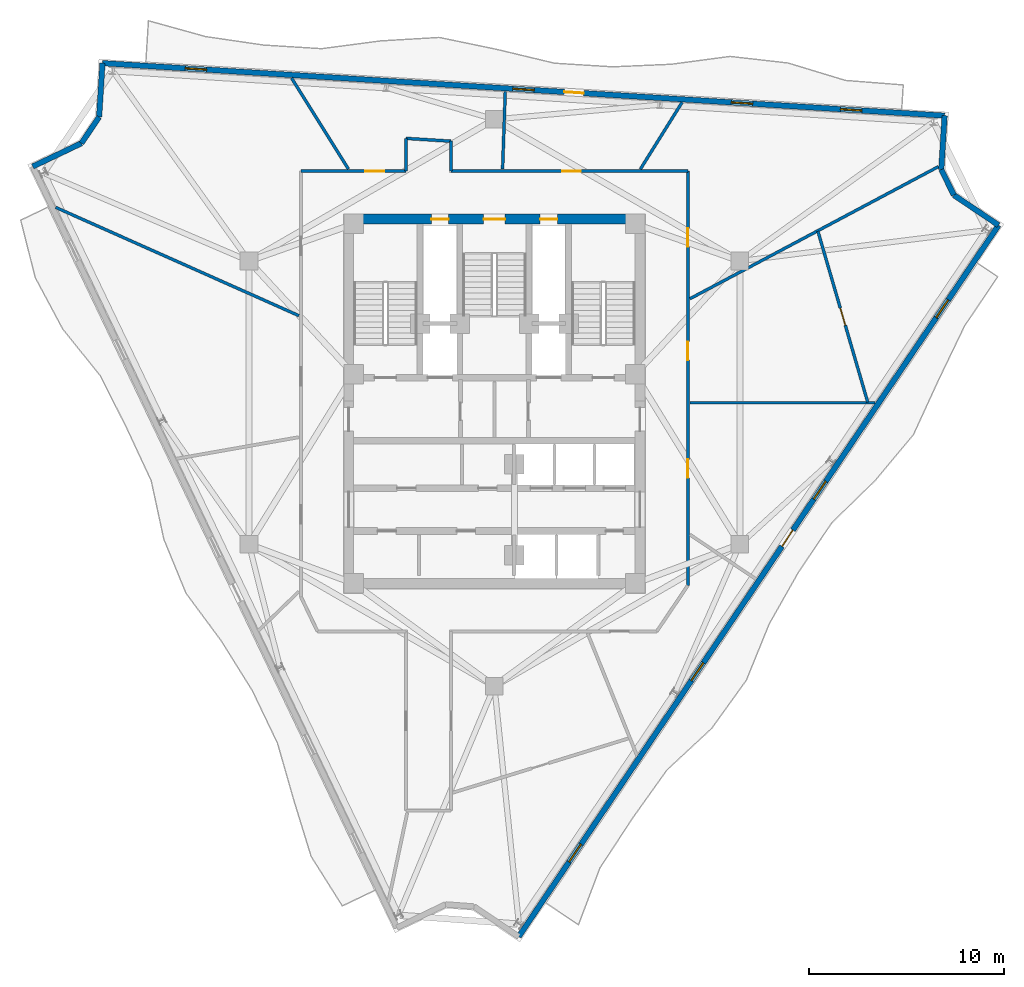
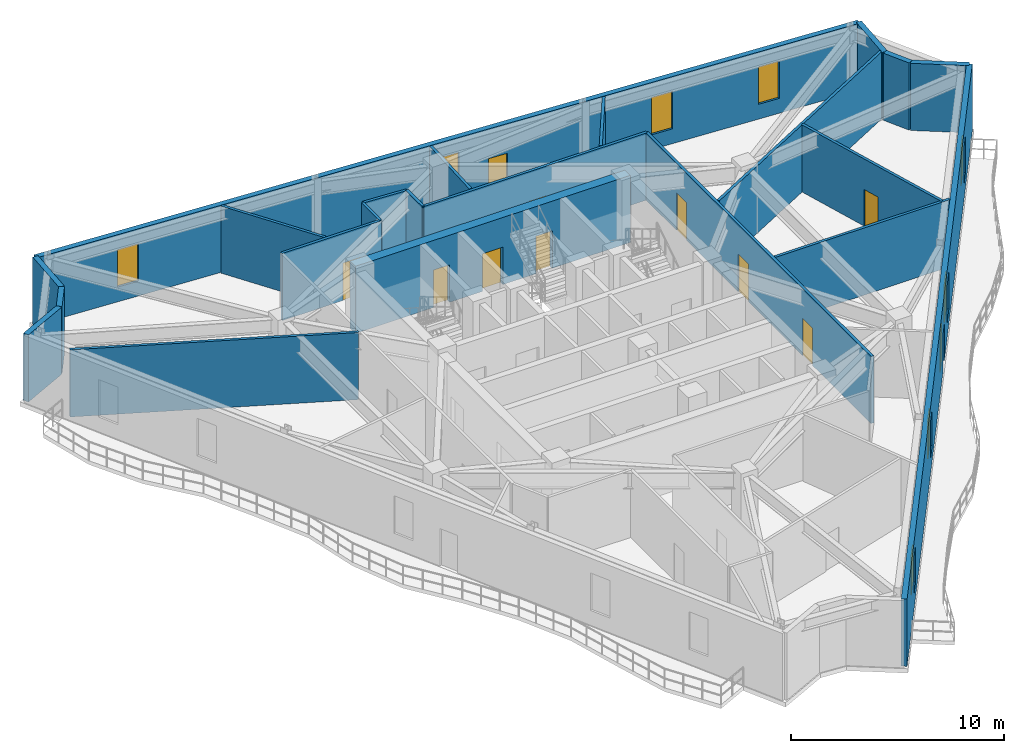
# One storey, part 7 of 11: 22 walls, 11 doors, 8 windows, 19 openings.
"""IFC4 building model written with IfcOpenShell, lengths in metres."""

import ifcopenshell
import ifcopenshell.guid

model = None  # the IFC model being written
_history = None  # IfcOwnerHistory: only IFC2X3 demands one
_inside = {}  # id of a spatial element -> (the spatial element, [elements in it])
_under = {}  # id of a project, library or spatial element -> (it, [spatial elements below it])
_declared = {}  # id of a project -> (the project, [libraries it declares])
_typed = {}  # id of a type object -> (the type object, [elements of that type])
_made_of = {}  # id of a material, layer set ... -> (it, [elements and type objects made of it])


def new_model(schema):
    """Start an empty IFC model of exactly this schema.

    Asked for "IFC4X3", IfcOpenShell would pick the latest addendum, in which some entities
    have other attributes; the version numbers below select the first issue.
    IFC2X3 requires an IfcOwnerHistory on every rooted entity: one is made here for all.
    """
    global model, _history
    if schema == "IFC4X3":
        model = ifcopenshell.file(schema_version=(4, 3, 0, 0))
    else:
        model = ifcopenshell.file(schema=schema)
    _inside.clear()
    _under.clear()
    _declared.clear()
    _typed.clear()
    _made_of.clear()
    _history = None
    if model.schema == "IFC2X3":
        org = make("IfcOrganization", Name="unknown")
        user = make(
            "IfcPersonAndOrganization",
            ThePerson=make("IfcPerson", FamilyName="unknown"),
            TheOrganization=org,
        )
        app = make(
            "IfcApplication",
            ApplicationDeveloper=org,
            Version="unknown",
            ApplicationFullName="unknown",
            ApplicationIdentifier="unknown",
        )
        _history = make(
            "IfcOwnerHistory",
            OwningUser=user,
            OwningApplication=app,
            ChangeAction="ADDED",
            CreationDate=0,
        )
    return model


def make(cls, **values):
    """One entity of the class cls with the attributes given. An attribute that is None is left unset."""
    return model.create_entity(
        cls, **{name: value for name, value in values.items() if value is not None}
    )


def rooted(cls, **values):
    """An entity with a GlobalId (a new one), such as an element, a storey or a relation."""
    return make(cls, GlobalId=ifcopenshell.guid.new(), OwnerHistory=_history, **values)


def si_unit(unit_type, name, prefix=None):
    """IfcSIUnit, for example si_unit("LENGTHUNIT", "METRE", prefix="MILLI")."""
    return make("IfcSIUnit", UnitType=unit_type, Prefix=prefix, Name=name)


def assignment(units):
    """IfcUnitAssignment: the units of a project."""
    return None if units is None else make("IfcUnitAssignment", Units=units)


def point(xyz):
    """IfcCartesianPoint."""
    return None if xyz is None else make("IfcCartesianPoint", Coordinates=xyz)


def direction(xyz):
    """IfcDirection."""
    return None if xyz is None else make("IfcDirection", DirectionRatios=xyz)


def frame(location, z_axis=None, x_axis=None):
    """IfcAxis2Placement3D, a coordinate frame: its origin and axes. An axis left out is left unset."""
    return make(
        "IfcAxis2Placement3D",
        Location=point(location),
        Axis=direction(z_axis),
        RefDirection=direction(x_axis),
    )


def frame_2d(location, x_axis=None):
    """IfcAxis2Placement2D, a coordinate frame in the plane: its origin and x axis."""
    return make(
        "IfcAxis2Placement2D", Location=point(location), RefDirection=direction(x_axis)
    )


def origin():
    """The frame at (0, 0, 0) with its axes left unset."""
    return frame((0.0, 0.0, 0.0))


def place(relative_to, where):
    """IfcLocalPlacement: puts the frame where relative to a parent placement (None: the world)."""
    return make(
        "IfcLocalPlacement", PlacementRelTo=relative_to, RelativePlacement=where
    )


def context(
    kind, dimensions, precision=None, world=None, true_north=None, identifier=None
):
    """IfcGeometricRepresentationContext, for example the 3D "Model" context."""
    return make(
        "IfcGeometricRepresentationContext",
        ContextIdentifier=identifier,
        ContextType=kind,
        CoordinateSpaceDimension=dimensions,
        Precision=precision,
        WorldCoordinateSystem=world,
        TrueNorth=true_north,
    )


def subcontext(parent, identifier, kind, view, scale=None):
    """IfcGeometricRepresentationSubContext, for example "Body" below "Model"."""
    return make(
        "IfcGeometricRepresentationSubContext",
        ContextIdentifier=identifier,
        ContextType=kind,
        ParentContext=parent,
        TargetScale=scale,
        TargetView=view,
    )


def project(units=None, contexts=None):
    """IfcProject with its units and contexts."""
    return rooted(
        "IfcProject",
        Name="project",
        RepresentationContexts=contexts,
        UnitsInContext=assignment(units),
    )


def spatial(cls, under=None, at=None, **own):
    """A site, building, storey or space (cls), placed at a placement, below another one or the project."""
    s = rooted(cls, ObjectPlacement=at, **own)
    if under is not None:
        _under.setdefault(under.id(), (under, []))[1].append(s)
    return s


def profile(cls, at=None, kind="AREA", **sizes):
    """A parametric profile (cls). Its sizes go by their IFC names, for example OverallWidth=200.0."""
    return make(cls, ProfileType=kind, Position=at, **sizes)


def rectangle(**sizes):
    """IfcRectangleProfileDef."""
    return profile("IfcRectangleProfileDef", **sizes)


def extrude(swept, where, along, depth):
    """IfcExtrudedAreaSolid: the profile swept, set in the frame where, extruded along a direction by depth."""
    return make(
        "IfcExtrudedAreaSolid",
        SweptArea=swept,
        Position=where,
        ExtrudedDirection=direction(along),
        Depth=depth,
    )


def shape(context_of_items, identifier, shape_type, items):
    """IfcShapeRepresentation: the items that make up one representation, for example the "Body"."""
    return make(
        "IfcShapeRepresentation",
        ContextOfItems=context_of_items,
        RepresentationIdentifier=identifier,
        RepresentationType=shape_type,
        Items=items,
    )


def material(Name=None, Category=None):
    """IfcMaterial."""
    return make("IfcMaterial", Name=Name, Category=Category)


def layer(
    of_material, thickness, ventilated=None, Name=None, Category=None, Priority=None
):
    """IfcMaterialLayer: one layer of a wall or slab, of a material (None: an air gap)."""
    return make(
        "IfcMaterialLayer",
        Material=of_material,
        LayerThickness=thickness,
        IsVentilated=ventilated,
        Name=Name,
        Category=Category,
        Priority=Priority,
    )


def layer_set(layers, Name=None):
    """IfcMaterialLayerSet."""
    return make("IfcMaterialLayerSet", MaterialLayers=layers, LayerSetName=Name)


def made_of(thing, what):
    """Note that an element or type object is made of a material, layer set ...; save() writes the relation."""
    if what is not None:
        _made_of.setdefault(what.id(), (what, []))[1].append(thing)
    return thing


def type_object(cls, material=None, **own):
    """A type object (cls), such as IfcWallType, which elements share."""
    return made_of(rooted(cls, **own), material)


def element(
    cls,
    number,
    at=None,
    inside=None,
    cuts=None,
    type_object=None,
    material=None,
    context=None,
    identifier="Body",
    shape_type=None,
    held_by="IfcProductDefinitionShape",
    body=None,
    shapes=None,
    **own,
):
    """One element of the class cls, such as IfcWall. Its Tag is "e" and its number.

    at: its placement. inside: the storey or other place that contains it. cuts: it is an
    opening in that element (IfcRelVoidsElement). A single representation is given by context,
    identifier, shape_type and body (its items); several are given by shapes. held_by: the class
    of the entity that holds the representations. save() writes the other relations.
    """
    e = rooted(cls, Tag="e%d" % number, ObjectPlacement=at, **own)
    if body is not None:
        shapes = [shape(context, identifier, shape_type, body)]
    if shapes is not None:
        e.Representation = make(held_by, Representations=shapes)
    if inside is not None:
        _inside.setdefault(inside.id(), (inside, []))[1].append(e)
    if cuts is not None:
        rooted(
            "IfcRelVoidsElement", RelatingBuildingElement=cuts, RelatedOpeningElement=e
        )
    if type_object is not None:
        _typed.setdefault(type_object.id(), (type_object, []))[1].append(e)
    return made_of(e, material)


def fill(opening, filler):
    """IfcRelFillsElement: the door or window that sits in an opening."""
    return rooted(
        "IfcRelFillsElement",
        RelatingOpeningElement=opening,
        RelatedBuildingElement=filler,
    )


def aggregate(whole, parts):
    """IfcRelAggregates: a whole, such as a stair, and the parts it consists of."""
    return rooted("IfcRelAggregates", RelatingObject=whole, RelatedObjects=parts)


def save(model, path):
    """Write the relations noted so far, then the file.

    IfcRelAggregates (storeys below a building ...), IfcRelContainedInSpatialStructure (elements
    in a storey), IfcRelDefinesByType, IfcRelAssociatesMaterial and IfcRelDeclares: one each for
    every whole, place, type object, material and project.
    """
    for whole, parts in _under.values():
        aggregate(whole, parts)
    for where, things in _inside.values():
        rooted(
            "IfcRelContainedInSpatialStructure",
            RelatedElements=things,
            RelatingStructure=where,
        )
    for kind, things in _typed.values():
        rooted("IfcRelDefinesByType", RelatedObjects=things, RelatingType=kind)
    for what, things in _made_of.values():
        rooted("IfcRelAssociatesMaterial", RelatedObjects=things, RelatingMaterial=what)
    for by, libraries in _declared.values():
        rooted("IfcRelDeclares", RelatingContext=by, RelatedDefinitions=libraries)
    model.write(path)


model = new_model("IFC4")

# Units and contexts
model_context = context("Model", 3, precision=1e-05, world=origin(), true_north=direction((0.0, 1.0)))
body_context = subcontext(model_context, "Body", "Model", "MODEL_VIEW")
ifc_project = project(units=[si_unit("LENGTHUNIT", "METRE"), si_unit("AREAUNIT", "SQUARE_METRE"), si_unit("VOLUMEUNIT", "CUBIC_METRE"), si_unit("PLANEANGLEUNIT", "RADIAN"), si_unit("MASSUNIT", "GRAM", prefix="KILO")], contexts=[model_context])

# Site, building, storey
site_placement = place(None, origin())
site = spatial("IfcSite", under=ifc_project, at=site_placement, CompositionType="ELEMENT")
building_placement = place(site_placement, origin())
building = spatial("IfcBuilding", under=site, at=building_placement, Name="Apsidion Concourse Tower", CompositionType="ELEMENT")
storey_placement = place(building_placement, frame((0.0, 0.0, 306.5)))
storey = spatial("IfcBuildingStorey", under=building, at=storey_placement, Name="L72", CompositionType="ELEMENT", Elevation=306.5)

# Wall, openings, door, windows
ifc_material_1 = material(Name="Precast concrete C40/50", Category="concrete")
ifc_layer_1 = layer(ifc_material_1, 0.280029296875)
ifc_layer_set_1 = layer_set([ifc_layer_1], Name="Precast concrete C40/50")
wall_type_1 = type_object("IfcWallType", Name="WL-EXT-280", PredefinedType="STANDARD", material=ifc_layer_set_1)
wall_1_placement = place(storey_placement, frame((-20.056396484375, 17.376220703125, 0.0), z_axis=(0.0, 0.0, 1.0), x_axis=(0.998061236898, -0.06223959674, 0.0)))
wall_1 = element("IfcWall", 1, at=wall_1_placement, inside=storey, type_object=wall_type_1, Name="L72 Precast Stone Facade Wall 01", PredefinedType="STANDARD", context=body_context, shape_type="SweptSolid", body=[
    extrude(rectangle(XDim=43.179931640625, YDim=0.280029296875, at=frame_2d((21.58984375, 0.0))), origin(), (0.0, 0.0, 1.0), 3.85009765625),
])
opening_1_placement = place(wall_1_placement, frame((23.680908203125, 0.0, 0.0)))
opening_1 = element("IfcOpeningElement", 2, at=opening_1_placement, cuts=wall_1, Name="Opening D-T1L", PredefinedType="OPENING", context=body_context, shape_type="SweptSolid", body=[
    extrude(rectangle(XDim=1.0, YDim=2.14990234375, at=frame_2d((0.5, 1.074951171875))), frame((0.0, 0.14990234375, 0.0), z_axis=(0.0, -1.0, 0.0), x_axis=(1.0, 0.0, 0.0)), (0.0, 0.0, 1.0), 0.300048828125),
])
opening_2_placement = place(wall_1_placement, frame((4.239990234375, 0.0, 0.85009765625)))
opening_2 = element("IfcOpeningElement", 3, at=opening_2_placement, cuts=wall_1, Name="Opening WN-07", PredefinedType="OPENING", context=body_context, shape_type="SweptSolid", body=[
    extrude(rectangle(XDim=1.10009765625, YDim=2.14990234375, at=frame_2d((0.550048828125, 1.074951171875))), frame((0.0, 0.14990234375, 0.0), z_axis=(0.0, -1.0, 0.0), x_axis=(1.0, 0.0, 0.0)), (0.0, 0.0, 1.0), 0.300048828125),
])
opening_3_placement = place(wall_1_placement, frame((21.0400390625, 0.0, 0.85009765625)))
opening_3 = element("IfcOpeningElement", 4, at=opening_3_placement, cuts=wall_1, Name="Opening WN-07", PredefinedType="OPENING", context=body_context, shape_type="SweptSolid", body=[
    extrude(rectangle(XDim=1.10009765625, YDim=2.14990234375, at=frame_2d((0.550048828125, 1.074951171875))), frame((0.0, 0.14990234375, 0.0), z_axis=(0.0, -1.0, 0.0), x_axis=(1.0, 0.0, 0.0)), (0.0, 0.0, 1.0), 0.300048828125),
])
opening_4_placement = place(wall_1_placement, frame((32.239990234375, 0.0, 0.85009765625)))
opening_4 = element("IfcOpeningElement", 5, at=opening_4_placement, cuts=wall_1, Name="Opening WN-07", PredefinedType="OPENING", context=body_context, shape_type="SweptSolid", body=[
    extrude(rectangle(XDim=1.10009765625, YDim=2.14990234375, at=frame_2d((0.550048828125, 1.074951171875))), frame((0.0, 0.14990234375, 0.0), z_axis=(0.0, -1.0, 0.0), x_axis=(1.0, 0.0, 0.0)), (0.0, 0.0, 1.0), 0.300048828125),
])
opening_5_placement = place(wall_1_placement, frame((37.840087890625, 0.0, 0.85009765625)))
opening_5 = element("IfcOpeningElement", 6, at=opening_5_placement, cuts=wall_1, Name="Opening WN-07", PredefinedType="OPENING", context=body_context, shape_type="SweptSolid", body=[
    extrude(rectangle(XDim=1.10009765625, YDim=2.14990234375, at=frame_2d((0.550048828125, 1.074951171875))), frame((0.0, 0.14990234375, 0.0), z_axis=(0.0, -1.0, 0.0), x_axis=(1.0, 0.0, 0.0)), (0.0, 0.0, 1.0), 0.300048828125),
])
ifc_material_2 = material(Name="Anodised aluminium EN AW-6063 T6", Category="aluminium")
door_type_1 = type_object("IfcDoorType", Name="DR-TER-1022L", OperationType="SINGLE_SWING_LEFT", PredefinedType="DOOR", material=ifc_material_2)
door_1_placement = place(opening_1_placement, origin())
door_1 = element("IfcDoor", 7, at=door_1_placement, inside=storey, type_object=door_type_1, Name="L72 Balcony Access Door 3", OperationType="SINGLE_SWING_LEFT", OverallHeight=2.14990234375, OverallWidth=1.0, PredefinedType="DOOR", context=body_context, shape_type="SweptSolid", body=[
    extrude(rectangle(XDim=1.0, YDim=2.14990234375, at=frame_2d((0.5, 1.074951171875))), frame((0.0, 0.02490234375, 0.0), z_axis=(0.0, -1.0, 0.0), x_axis=(1.0, 0.0, 0.0)), (0.0, 0.0, 1.0), 0.050048828125),
])
fill(opening_1, door_1)
ifc_material_3 = material(Name="Insulated laminated low-E glass", Category="glass")
window_type = type_object("IfcWindowType", Name="WN-OFF-1123", PartitioningType="SINGLE_PANEL", PredefinedType="WINDOW", material=ifc_material_3)
window_1_placement = place(opening_2_placement, origin())
window_1 = element("IfcWindow", 8, at=window_1_placement, inside=storey, type_object=window_type, Name="L72 Punched Facade Window 1-01", OverallHeight=2.14990234375, OverallWidth=1.10009765625, PartitioningType="SINGLE_PANEL", PredefinedType="WINDOW", context=body_context, shape_type="SweptSolid", body=[
    extrude(rectangle(XDim=1.10009765625, YDim=2.14990234375, at=frame_2d((0.550048828125, 1.074951171875))), frame((0.0, 0.030029296875, 0.0), z_axis=(0.0, -1.0, 0.0), x_axis=(1.0, 0.0, 0.0)), (0.0, 0.0, 1.0), 0.06005859375),
])
fill(opening_2, window_1)
window_2_placement = place(opening_3_placement, origin())
window_2 = element("IfcWindow", 9, at=window_2_placement, inside=storey, type_object=window_type, Name="L72 Punched Facade Window 1-04", OverallHeight=2.14990234375, OverallWidth=1.10009765625, PartitioningType="SINGLE_PANEL", PredefinedType="WINDOW", context=body_context, shape_type="SweptSolid", body=[
    extrude(rectangle(XDim=1.10009765625, YDim=2.14990234375, at=frame_2d((0.550048828125, 1.074951171875))), frame((0.0, 0.030029296875, 0.0), z_axis=(0.0, -1.0, 0.0), x_axis=(1.0, 0.0, 0.0)), (0.0, 0.0, 1.0), 0.06005859375),
])
fill(opening_3, window_2)
window_3_placement = place(opening_4_placement, origin())
window_3 = element("IfcWindow", 10, at=window_3_placement, inside=storey, type_object=window_type, Name="L72 Punched Facade Window 1-06", OverallHeight=2.14990234375, OverallWidth=1.10009765625, PartitioningType="SINGLE_PANEL", PredefinedType="WINDOW", context=body_context, shape_type="SweptSolid", body=[
    extrude(rectangle(XDim=1.10009765625, YDim=2.14990234375, at=frame_2d((0.550048828125, 1.074951171875))), frame((0.0, 0.030029296875, 0.0), z_axis=(0.0, -1.0, 0.0), x_axis=(1.0, 0.0, 0.0)), (0.0, 0.0, 1.0), 0.06005859375),
])
fill(opening_4, window_3)
window_4_placement = place(opening_5_placement, origin())
window_4 = element("IfcWindow", 11, at=window_4_placement, inside=storey, type_object=window_type, Name="L72 Punched Facade Window 1-07", OverallHeight=2.14990234375, OverallWidth=1.10009765625, PartitioningType="SINGLE_PANEL", PredefinedType="WINDOW", context=body_context, shape_type="SweptSolid", body=[
    extrude(rectangle(XDim=1.10009765625, YDim=2.14990234375, at=frame_2d((0.550048828125, 1.074951171875))), frame((0.0, 0.030029296875, 0.0), z_axis=(0.0, -1.0, 0.0), x_axis=(1.0, 0.0, 0.0)), (0.0, 0.0, 1.0), 0.06005859375),
])
fill(opening_5, window_4)

# Walls
wall_2_placement = place(storey_placement, frame((23.039794921875, 14.688720703125, 0.0), z_axis=(0.0, 0.0, 1.0), x_axis=(-0.062295651102, -0.998057739739, 0.0)))
element("IfcWall", 12, at=wall_2_placement, inside=storey, type_object=wall_type_1, Name="L72 Precast Stone Facade Wall 02", PredefinedType="STANDARD", context=body_context, shape_type="SweptSolid", body=[
    extrude(rectangle(XDim=2.759033203125, YDim=0.280029296875, at=frame_2d((1.37939453125, 0.0))), origin(), (0.0, 0.0, 1.0), 3.85009765625),
])
wall_3_placement = place(storey_placement, frame((22.867919921875, 11.93505859375, 0.0), z_axis=(0.0, 0.0, 1.0), x_axis=(0.441785524615, -0.897120699929, 0.0)))
element("IfcWall", 13, at=wall_3_placement, inside=storey, type_object=wall_type_1, Name="L72 Precast Stone Facade Wall 03", PredefinedType="STANDARD", context=body_context, shape_type="SweptSolid", body=[
    extrude(rectangle(XDim=1.45947265625, YDim=0.280029296875, at=frame_2d((0.729736328125, 0.0))), origin(), (0.0, 0.0, 1.0), 3.85009765625),
])
wall_4_placement = place(storey_placement, frame((23.5126953125, 10.625732421875, 0.0), z_axis=(0.0, 0.0, 1.0), x_axis=(0.829056864924, -0.559164300294, 0.0)))
element("IfcWall", 14, at=wall_4_placement, inside=storey, type_object=wall_type_1, Name="L72 Precast Stone Facade Wall 04", PredefinedType="STANDARD", context=body_context, shape_type="SweptSolid", body=[
    extrude(rectangle(XDim=2.759033203125, YDim=0.280029296875, at=frame_2d((1.37939453125, 0.0))), origin(), (0.0, 0.0, 1.0), 3.85009765625),
])

# Wall, openings, door, windows
wall_5_placement = place(storey_placement, frame((25.800048828125, 9.0830078125, 0.0), z_axis=(0.0, 0.0, 1.0), x_axis=(-0.55919392155, -0.829036885851, 0.0)))
wall_5 = element("IfcWall", 15, at=wall_5_placement, inside=storey, type_object=wall_type_1, Name="L72 Precast Stone Facade Wall 05", PredefinedType="STANDARD", context=body_context, shape_type="SweptSolid", body=[
    extrude(rectangle(XDim=43.914794921875, YDim=0.280029296875, at=frame_2d((21.95751953125, 0.0))), origin(), (0.0, 0.0, 1.0), 3.85009765625),
])
opening_6_placement = place(wall_5_placement, frame((18.822509765625, 0.0, 0.0)))
opening_6 = element("IfcOpeningElement", 16, at=opening_6_placement, cuts=wall_5, Name="Opening D-T1R", PredefinedType="OPENING", context=body_context, shape_type="SweptSolid", body=[
    extrude(rectangle(XDim=1.0, YDim=2.14990234375, at=frame_2d((0.5, 1.074951171875))), frame((0.0, 0.14990234375, 0.0), z_axis=(0.0, -1.0, 0.0), x_axis=(1.0, 0.0, 0.0)), (0.0, 0.0, 1.0), 0.300048828125),
])
opening_7_placement = place(wall_5_placement, frame((4.607421875, 0.0, 0.85009765625)))
opening_7 = element("IfcOpeningElement", 17, at=opening_7_placement, cuts=wall_5, Name="Opening WN-07", PredefinedType="OPENING", context=body_context, shape_type="SweptSolid", body=[
    extrude(rectangle(XDim=1.10009765625, YDim=2.14990234375, at=frame_2d((0.550048828125, 1.074951171875))), frame((0.0, 0.14990234375, 0.0), z_axis=(0.0, -1.0, 0.0), x_axis=(1.0, 0.0, 0.0)), (0.0, 0.0, 1.0), 0.300048828125),
])
opening_8_placement = place(wall_5_placement, frame((15.807373046875, 0.0, 0.85009765625)))
opening_8 = element("IfcOpeningElement", 18, at=opening_8_placement, cuts=wall_5, Name="Opening WN-07", PredefinedType="OPENING", context=body_context, shape_type="SweptSolid", body=[
    extrude(rectangle(XDim=1.10009765625, YDim=2.14990234375, at=frame_2d((0.550048828125, 1.074951171875))), frame((0.0, 0.14990234375, 0.0), z_axis=(0.0, -1.0, 0.0), x_axis=(1.0, 0.0, 0.0)), (0.0, 0.0, 1.0), 0.300048828125),
])
opening_9_placement = place(wall_5_placement, frame((27.00732421875, 0.0, 0.85009765625)))
opening_9 = element("IfcOpeningElement", 19, at=opening_9_placement, cuts=wall_5, Name="Opening WN-07", PredefinedType="OPENING", context=body_context, shape_type="SweptSolid", body=[
    extrude(rectangle(XDim=1.10009765625, YDim=2.14990234375, at=frame_2d((0.550048828125, 1.074951171875))), frame((0.0, 0.14990234375, 0.0), z_axis=(0.0, -1.0, 0.0), x_axis=(1.0, 0.0, 0.0)), (0.0, 0.0, 1.0), 0.300048828125),
])
opening_10_placement = place(wall_5_placement, frame((38.207275390625, 0.0, 0.85009765625)))
opening_10 = element("IfcOpeningElement", 20, at=opening_10_placement, cuts=wall_5, Name="Opening WN-07", PredefinedType="OPENING", context=body_context, shape_type="SweptSolid", body=[
    extrude(rectangle(XDim=1.10009765625, YDim=2.14990234375, at=frame_2d((0.550048828125, 1.074951171875))), frame((0.0, 0.14990234375, 0.0), z_axis=(0.0, -1.0, 0.0), x_axis=(1.0, 0.0, 0.0)), (0.0, 0.0, 1.0), 0.300048828125),
])
door_type_2 = type_object("IfcDoorType", Name="DR-TER-1022R", OperationType="SINGLE_SWING_RIGHT", PredefinedType="DOOR", material=ifc_material_2)
door_2_placement = place(opening_6_placement, origin())
door_2 = element("IfcDoor", 21, at=door_2_placement, inside=storey, type_object=door_type_2, Name="L72 Balcony Access Door 2", OperationType="SINGLE_SWING_RIGHT", OverallHeight=2.14990234375, OverallWidth=1.0, PredefinedType="DOOR", context=body_context, shape_type="SweptSolid", body=[
    extrude(rectangle(XDim=1.0, YDim=2.14990234375, at=frame_2d((0.5, 1.074951171875))), frame((0.0, 0.02490234375, 0.0), z_axis=(0.0, -1.0, 0.0), x_axis=(1.0, 0.0, 0.0)), (0.0, 0.0, 1.0), 0.050048828125),
])
fill(opening_6, door_2)
window_5_placement = place(opening_7_placement, origin())
window_5 = element("IfcWindow", 22, at=window_5_placement, inside=storey, type_object=window_type, Name="L72 Punched Facade Window 5-01", OverallHeight=2.14990234375, OverallWidth=1.10009765625, PartitioningType="SINGLE_PANEL", PredefinedType="WINDOW", context=body_context, shape_type="SweptSolid", body=[
    extrude(rectangle(XDim=1.10009765625, YDim=2.14990234375, at=frame_2d((0.550048828125, 1.074951171875))), frame((0.0, 0.030029296875, 0.0), z_axis=(0.0, -1.0, 0.0), x_axis=(1.0, 0.0, 0.0)), (0.0, 0.0, 1.0), 0.06005859375),
])
fill(opening_7, window_5)
window_6_placement = place(opening_8_placement, origin())
window_6 = element("IfcWindow", 23, at=window_6_placement, inside=storey, type_object=window_type, Name="L72 Punched Facade Window 5-03", OverallHeight=2.14990234375, OverallWidth=1.10009765625, PartitioningType="SINGLE_PANEL", PredefinedType="WINDOW", context=body_context, shape_type="SweptSolid", body=[
    extrude(rectangle(XDim=1.10009765625, YDim=2.14990234375, at=frame_2d((0.550048828125, 1.074951171875))), frame((0.0, 0.030029296875, 0.0), z_axis=(0.0, -1.0, 0.0), x_axis=(1.0, 0.0, 0.0)), (0.0, 0.0, 1.0), 0.06005859375),
])
fill(opening_8, window_6)
window_7_placement = place(opening_9_placement, origin())
window_7 = element("IfcWindow", 24, at=window_7_placement, inside=storey, type_object=window_type, Name="L72 Punched Facade Window 5-05", OverallHeight=2.14990234375, OverallWidth=1.10009765625, PartitioningType="SINGLE_PANEL", PredefinedType="WINDOW", context=body_context, shape_type="SweptSolid", body=[
    extrude(rectangle(XDim=1.10009765625, YDim=2.14990234375, at=frame_2d((0.550048828125, 1.074951171875))), frame((0.0, 0.030029296875, 0.0), z_axis=(0.0, -1.0, 0.0), x_axis=(1.0, 0.0, 0.0)), (0.0, 0.0, 1.0), 0.06005859375),
])
fill(opening_9, window_7)
window_8_placement = place(opening_10_placement, origin())
window_8 = element("IfcWindow", 25, at=window_8_placement, inside=storey, type_object=window_type, Name="L72 Punched Facade Window 5-07", OverallHeight=2.14990234375, OverallWidth=1.10009765625, PartitioningType="SINGLE_PANEL", PredefinedType="WINDOW", context=body_context, shape_type="SweptSolid", body=[
    extrude(rectangle(XDim=1.10009765625, YDim=2.14990234375, at=frame_2d((0.550048828125, 1.074951171875))), frame((0.0, 0.030029296875, 0.0), z_axis=(0.0, -1.0, 0.0), x_axis=(1.0, 0.0, 0.0)), (0.0, 0.0, 1.0), 0.06005859375),
])
fill(opening_10, window_8)

# Walls
wall_6_placement = place(storey_placement, frame((-23.62451171875, 12.0869140625, 0.0), z_axis=(0.0, 0.0, 1.0), x_axis=(0.902092306117, 0.431543127909, 0.0)))
element("IfcWall", 26, at=wall_6_placement, inside=storey, type_object=wall_type_1, Name="L72 Precast Stone Facade Wall 10", PredefinedType="STANDARD", context=body_context, shape_type="SweptSolid", body=[
    extrude(rectangle(XDim=2.76025390625, YDim=0.280029296875, at=frame_2d((1.380126953125, 0.0))), origin(), (0.0, 0.0, 1.0), 3.85009765625),
])
wall_7_placement = place(storey_placement, frame((-21.134521484375, 13.278076171875, 0.0), z_axis=(0.0, 0.0, 1.0), x_axis=(0.559107950815, 0.829094867512, 0.0)))
element("IfcWall", 27, at=wall_7_placement, inside=storey, type_object=wall_type_1, Name="L72 Precast Stone Facade Wall 11", PredefinedType="STANDARD", context=body_context, shape_type="SweptSolid", body=[
    extrude(rectangle(XDim=1.620361328125, YDim=0.280029296875, at=frame_2d((0.81005859375, 0.0))), origin(), (0.0, 0.0, 1.0), 3.85009765625),
])
wall_8_placement = place(storey_placement, frame((-20.228515625, 14.62158203125, 0.0), z_axis=(0.0, 0.0, 1.0), x_axis=(0.062361765106, 0.998053610911, 0.0)))
element("IfcWall", 28, at=wall_8_placement, inside=storey, type_object=wall_type_1, Name="L72 Precast Stone Facade Wall 12", PredefinedType="STANDARD", context=body_context, shape_type="SweptSolid", body=[
    extrude(rectangle(XDim=2.760009765625, YDim=0.280029296875, at=frame_2d((1.3798828125, 0.0))), origin(), (0.0, 0.0, 1.0), 3.85009765625),
])

# Wall, opening, door
ifc_material_4 = material(Name="Gypsum plasterboard partition")
ifc_layer_2 = layer(ifc_material_4, 0.14990234375)
ifc_layer_set_2 = layer_set([ifc_layer_2], Name="Gypsum plasterboard partition")
wall_type_2 = type_object("IfcWallType", Name="WL-INT-PAR-150", PredefinedType="PARTITIONING", material=ifc_layer_set_2)
wall_9_placement = place(storey_placement, frame((-9.89990234375, 11.85009765625, 0.0), z_axis=(0.0, 0.0, 1.0), x_axis=(1.0, 0.0, 0.0)))
wall_9 = element("IfcWall", 29, at=wall_9_placement, inside=storey, type_object=wall_type_2, Name="L72 Interior Partition WL-L72-CORR-04", PredefinedType="PARTITIONING", context=body_context, shape_type="SweptSolid", body=[
    extrude(rectangle(XDim=5.369873046875, YDim=0.14990234375, at=frame_2d((2.68505859375, 0.0))), origin(), (0.0, 0.0, 1.0), 3.85009765625),
])
opening_11_placement = place(wall_9_placement, frame((3.30126953125, 0.0, 0.0)))
opening_11 = element("IfcOpeningElement", 30, at=opening_11_placement, cuts=wall_9, Name="Opening D-01L", PredefinedType="OPENING", context=body_context, shape_type="SweptSolid", body=[
    extrude(rectangle(XDim=0.949951171875, YDim=2.14990234375, at=frame_2d((0.47509765625, 1.074951171875))), frame((0.0, 0.0849609375, 0.0), z_axis=(0.0, -1.0, 0.0), x_axis=(1.0, 0.0, 0.0)), (0.0, 0.0, 1.0), 0.169921875),
])
ifc_material_5 = material(Name="Brushed stainless steel 316", Category="steel")
door_type_3 = type_object("IfcDoorType", Name="DR-INT-D01L", OperationType="SINGLE_SWING_LEFT", PredefinedType="DOOR", material=ifc_material_5)
door_3_placement = place(opening_11_placement, origin())
door_3 = element("IfcDoor", 31, at=door_3_placement, inside=storey, type_object=door_type_3, Name="L72 Corridor Entry Door 09", OperationType="SINGLE_SWING_LEFT", OverallHeight=2.14990234375, OverallWidth=0.949951171875, PredefinedType="DOOR", context=body_context, shape_type="SweptSolid", body=[
    extrude(rectangle(XDim=0.949951171875, YDim=2.14990234375, at=frame_2d((0.47509765625, 1.074951171875))), frame((0.0, 0.02490234375, 0.0), z_axis=(0.0, -1.0, 0.0), x_axis=(1.0, 0.0, 0.0)), (0.0, 0.0, 1.0), 0.050048828125),
])
fill(opening_11, door_3)

# Walls
wall_10_placement = place(storey_placement, frame((-4.530029296875, 11.85009765625, 0.0), z_axis=(0.0, 0.0, 1.0), x_axis=(0.0, 1.0, 0.0)))
element("IfcWall", 32, at=wall_10_placement, inside=storey, type_object=wall_type_2, Name="L72 Interior Partition WL-L72-CORR-05", PredefinedType="PARTITIONING", context=body_context, shape_type="SweptSolid", body=[
    extrude(rectangle(XDim=1.67724609375, YDim=0.14990234375, at=frame_2d((0.838623046875, 0.0))), origin(), (0.0, 0.0, 1.0), 3.85009765625),
])
wall_11_placement = place(storey_placement, frame((-4.530029296875, 13.52734375, 0.0), z_axis=(0.0, 0.0, 1.0), x_axis=(0.998061597532, -0.062233813416, 0.0)))
element("IfcWall", 33, at=wall_11_placement, inside=storey, type_object=wall_type_2, Name="L72 Interior Partition WL-L72-CORR-06", PredefinedType="PARTITIONING", context=body_context, shape_type="SweptSolid", body=[
    extrude(rectangle(XDim=2.314453125, YDim=0.14990234375, at=frame_2d((1.1572265625, 0.0))), origin(), (0.0, 0.0, 1.0), 3.85009765625),
])
wall_12_placement = place(storey_placement, frame((-2.219970703125, 13.38330078125, 0.0), z_axis=(0.0, 0.0, 1.0), x_axis=(0.0, -1.0, 0.0)))
element("IfcWall", 34, at=wall_12_placement, inside=storey, type_object=wall_type_2, Name="L72 Interior Partition WL-L72-CORR-07", PredefinedType="PARTITIONING", context=body_context, shape_type="SweptSolid", body=[
    extrude(rectangle(XDim=1.533203125, YDim=0.14990234375, at=frame_2d((0.7666015625, 0.0))), origin(), (0.0, 0.0, 1.0), 3.85009765625),
])

# Wall, opening, door
wall_13_placement = place(storey_placement, frame((-2.219970703125, 11.85009765625, 0.0), z_axis=(0.0, 0.0, 1.0), x_axis=(1.0, 0.0, 0.0)))
wall_13 = element("IfcWall", 35, at=wall_13_placement, inside=storey, type_object=wall_type_2, Name="L72 Interior Partition WL-L72-CORR-08", PredefinedType="PARTITIONING", context=body_context, shape_type="SweptSolid", body=[
    extrude(rectangle(XDim=12.119873046875, YDim=0.14990234375, at=frame_2d((6.06005859375, 0.0))), origin(), (0.0, 0.0, 1.0), 3.85009765625),
])
opening_12_placement = place(wall_13_placement, frame((5.684326171875, 0.0, 0.0)))
opening_12 = element("IfcOpeningElement", 36, at=opening_12_placement, cuts=wall_13, Name="Opening D-01R", PredefinedType="OPENING", context=body_context, shape_type="SweptSolid", body=[
    extrude(rectangle(XDim=0.949951171875, YDim=2.14990234375, at=frame_2d((0.47509765625, 1.074951171875))), frame((0.0, 0.0849609375, 0.0), z_axis=(0.0, -1.0, 0.0), x_axis=(1.0, 0.0, 0.0)), (0.0, 0.0, 1.0), 0.169921875),
])
door_type_4 = type_object("IfcDoorType", Name="DR-INT-D01R", OperationType="SINGLE_SWING_RIGHT", PredefinedType="DOOR", material=ifc_material_5)
door_4_placement = place(opening_12_placement, origin())
door_4 = element("IfcDoor", 37, at=door_4_placement, inside=storey, type_object=door_type_4, Name="L72 Corridor Entry Door 08", OperationType="SINGLE_SWING_RIGHT", OverallHeight=2.14990234375, OverallWidth=0.949951171875, PredefinedType="DOOR", context=body_context, shape_type="SweptSolid", body=[
    extrude(rectangle(XDim=0.949951171875, YDim=2.14990234375, at=frame_2d((0.47509765625, 1.074951171875))), frame((0.0, 0.02490234375, 0.0), z_axis=(0.0, -1.0, 0.0), x_axis=(1.0, 0.0, 0.0)), (0.0, 0.0, 1.0), 0.050048828125),
])
fill(opening_12, door_4)

# Wall, openings, doors
wall_14_placement = place(storey_placement, frame((9.89990234375, 11.85009765625, 0.0), z_axis=(0.0, 0.0, 1.0), x_axis=(0.0, -1.0, 0.0)))
wall_14 = element("IfcWall", 38, at=wall_14_placement, inside=storey, type_object=wall_type_2, Name="L72 Interior Partition WL-L72-CORR-09", PredefinedType="PARTITIONING", context=body_context, shape_type="SweptSolid", body=[
    extrude(rectangle(XDim=21.198486328125, YDim=0.14990234375, at=frame_2d((10.59912109375, 0.0))), origin(), (0.0, 0.0, 1.0), 3.85009765625),
])
opening_13_placement = place(wall_14_placement, frame((14.74560546875, 0.0, 0.0)))
opening_13 = element("IfcOpeningElement", 39, at=opening_13_placement, cuts=wall_14, Name="Opening D-01L", PredefinedType="OPENING", context=body_context, shape_type="SweptSolid", body=[
    extrude(rectangle(XDim=0.949951171875, YDim=2.14990234375, at=frame_2d((0.47509765625, 1.074951171875))), frame((0.0, 0.0849609375, 0.0), z_axis=(0.0, -1.0, 0.0), x_axis=(1.0, 0.0, 0.0)), (0.0, 0.0, 1.0), 0.169921875),
])
opening_14_placement = place(wall_14_placement, frame((8.720947265625, 0.0, 0.0)))
opening_14 = element("IfcOpeningElement", 40, at=opening_14_placement, cuts=wall_14, Name="Opening D-01R", PredefinedType="OPENING", context=body_context, shape_type="SweptSolid", body=[
    extrude(rectangle(XDim=0.949951171875, YDim=2.14990234375, at=frame_2d((0.47509765625, 1.074951171875))), frame((0.0, 0.0849609375, 0.0), z_axis=(0.0, -1.0, 0.0), x_axis=(1.0, 0.0, 0.0)), (0.0, 0.0, 1.0), 0.169921875),
])
opening_15_placement = place(wall_14_placement, frame((2.9189453125, 0.0, 0.0)))
opening_15 = element("IfcOpeningElement", 41, at=opening_15_placement, cuts=wall_14, Name="Opening D-01L", PredefinedType="OPENING", context=body_context, shape_type="SweptSolid", body=[
    extrude(rectangle(XDim=0.949951171875, YDim=2.14990234375, at=frame_2d((0.47509765625, 1.074951171875))), frame((0.0, 0.0849609375, 0.0), z_axis=(0.0, -1.0, 0.0), x_axis=(1.0, 0.0, 0.0)), (0.0, 0.0, 1.0), 0.169921875),
])
door_5_placement = place(opening_13_placement, origin())
door_5 = element("IfcDoor", 42, at=door_5_placement, inside=storey, type_object=door_type_3, Name="L72 Corridor Entry Door 05", OperationType="SINGLE_SWING_LEFT", OverallHeight=2.14990234375, OverallWidth=0.949951171875, PredefinedType="DOOR", context=body_context, shape_type="SweptSolid", body=[
    extrude(rectangle(XDim=0.949951171875, YDim=2.14990234375, at=frame_2d((0.47509765625, 1.074951171875))), frame((0.0, 0.02490234375, 0.0), z_axis=(0.0, -1.0, 0.0), x_axis=(1.0, 0.0, 0.0)), (0.0, 0.0, 1.0), 0.050048828125),
])
fill(opening_13, door_5)
door_6_placement = place(opening_15_placement, origin())
door_6 = element("IfcDoor", 43, at=door_6_placement, inside=storey, type_object=door_type_3, Name="L72 Corridor Entry Door 07", OperationType="SINGLE_SWING_LEFT", OverallHeight=2.14990234375, OverallWidth=0.949951171875, PredefinedType="DOOR", context=body_context, shape_type="SweptSolid", body=[
    extrude(rectangle(XDim=0.949951171875, YDim=2.14990234375, at=frame_2d((0.47509765625, 1.074951171875))), frame((0.0, 0.02490234375, 0.0), z_axis=(0.0, -1.0, 0.0), x_axis=(1.0, 0.0, 0.0)), (0.0, 0.0, 1.0), 0.050048828125),
])
fill(opening_15, door_6)
door_7_placement = place(opening_14_placement, origin())
door_7 = element("IfcDoor", 44, at=door_7_placement, inside=storey, type_object=door_type_4, Name="L72 Corridor Entry Door 06", OperationType="SINGLE_SWING_RIGHT", OverallHeight=2.14990234375, OverallWidth=0.949951171875, PredefinedType="DOOR", context=body_context, shape_type="SweptSolid", body=[
    extrude(rectangle(XDim=0.949951171875, YDim=2.14990234375, at=frame_2d((0.47509765625, 1.074951171875))), frame((0.0, 0.02490234375, 0.0), z_axis=(0.0, -1.0, 0.0), x_axis=(1.0, 0.0, 0.0)), (0.0, 0.0, 1.0), 0.050048828125),
])
fill(opening_14, door_7)

# Walls
wall_15_placement = place(storey_placement, frame((10.0048828125, 0.0, 0.0), z_axis=(0.0, 0.0, 1.0), x_axis=(1.0, 0.0, 0.0)))
element("IfcWall", 45, at=wall_15_placement, inside=storey, type_object=wall_type_2, Name="L72 Interior Partition WL-L72-RAD-01-1", PredefinedType="PARTITIONING", context=body_context, shape_type="SweptSolid", body=[
    extrude(rectangle(XDim=9.481689453125, YDim=0.14990234375, at=frame_2d((4.74072265625, 0.0))), origin(), (0.0, 0.0, 1.0), 3.85009765625),
])
wall_16_placement = place(storey_placement, frame((10.0048828125, 5.31982421875, 0.0), z_axis=(0.0, 0.0, 1.0), x_axis=(0.882952377043, 0.469462564933, 0.0)))
element("IfcWall", 46, at=wall_16_placement, inside=storey, type_object=wall_type_2, Name="L72 Interior Partition WL-L72-RAD-02-1", PredefinedType="PARTITIONING", context=body_context, shape_type="SweptSolid", body=[
    extrude(rectangle(XDim=14.402587890625, YDim=0.14990234375, at=frame_2d((7.201171875, 0.0))), origin(), (0.0, 0.0, 1.0), 3.85009765625),
])
wall_17_placement = place(storey_placement, frame((7.47021484375, 11.955078125, 0.0), z_axis=(0.0, 0.0, 1.0), x_axis=(0.529955356104, 0.848025542384, 0.0)))
element("IfcWall", 47, at=wall_17_placement, inside=storey, type_object=wall_type_2, Name="L72 Interior Partition WL-L72-RAD-03-1", PredefinedType="PARTITIONING", context=body_context, shape_type="SweptSolid", body=[
    extrude(rectangle(XDim=4.0283203125, YDim=0.14990234375, at=frame_2d((2.01416015625, 0.0))), origin(), (0.0, 0.0, 1.0), 3.85009765625),
])
wall_18_placement = place(storey_placement, frame((0.41748046875, 11.955078125, 0.0), z_axis=(0.0, 0.0, 1.0), x_axis=(0.034878177383, 0.999391571278, 0.0)))
element("IfcWall", 48, at=wall_18_placement, inside=storey, type_object=wall_type_2, Name="L72 Interior Partition WL-L72-RAD-04-1", PredefinedType="PARTITIONING", context=body_context, shape_type="SweptSolid", body=[
    extrude(rectangle(XDim=3.98291015625, YDim=0.14990234375, at=frame_2d((1.991455078125, 0.0))), origin(), (0.0, 0.0, 1.0), 3.85009765625),
])
wall_19_placement = place(storey_placement, frame((-7.47021484375, 11.955078125, 0.0), z_axis=(0.0, 0.0, 1.0), x_axis=(-0.529939070682, 0.848035719392, 0.0)))
element("IfcWall", 49, at=wall_19_placement, inside=storey, type_object=wall_type_2, Name="L72 Interior Partition WL-L72-RAD-05-1", PredefinedType="PARTITIONING", context=body_context, shape_type="SweptSolid", body=[
    extrude(rectangle(XDim=5.498291015625, YDim=0.14990234375, at=frame_2d((2.7490234375, 0.0))), origin(), (0.0, 0.0, 1.0), 3.85009765625),
])
wall_20_placement = place(storey_placement, frame((-10.0048828125, 4.45458984375, 0.0), z_axis=(0.0, 0.0, 1.0), x_axis=(-0.913545354583, 0.406736874552, 0.0)))
element("IfcWall", 50, at=wall_20_placement, inside=storey, type_object=wall_type_2, Name="L72 Interior Partition WL-L72-RAD-06-1", PredefinedType="PARTITIONING", context=body_context, shape_type="SweptSolid", body=[
    extrude(rectangle(XDim=13.62548828125, YDim=0.14990234375, at=frame_2d((6.812744140625, 0.0))), origin(), (0.0, 0.0, 1.0), 3.85009765625),
])

# Wall, opening, door
wall_21_placement = place(storey_placement, frame((19.10498046875, 0.02490234375, 0.0), z_axis=(0.0, 0.0, 1.0), x_axis=(-0.279791162652, 0.960060886247, 0.0)))
wall_21 = element("IfcWall", 51, at=wall_21_placement, inside=storey, type_object=wall_type_2, Name="L72 Interior Partition WL-L72-CHD-OFS05", PredefinedType="PARTITIONING", context=body_context, shape_type="SweptSolid", body=[
    extrude(rectangle(XDim=9.11328125, YDim=0.14990234375, at=frame_2d((4.556640625, 0.0))), origin(), (0.0, 0.0, 1.0), 3.85009765625),
])
opening_16_placement = place(wall_21_placement, frame((4.106689453125, 0.0, 0.0)))
opening_16 = element("IfcOpeningElement", 52, at=opening_16_placement, cuts=wall_21, Name="Opening D-02R", PredefinedType="OPENING", context=body_context, shape_type="SweptSolid", body=[
    extrude(rectangle(XDim=0.89990234375, YDim=2.10009765625, at=frame_2d((0.449951171875, 1.050048828125))), frame((0.0, 0.0849609375, 0.0), z_axis=(0.0, -1.0, 0.0), x_axis=(1.0, 0.0, 0.0)), (0.0, 0.0, 1.0), 0.169921875),
])
door_type_5 = type_object("IfcDoorType", Name="DR-INT-D02R", OperationType="SINGLE_SWING_RIGHT", PredefinedType="DOOR", material=ifc_material_2)
door_8_placement = place(opening_16_placement, origin())
door_8 = element("IfcDoor", 53, at=door_8_placement, inside=storey, type_object=door_type_5, Name="L72 Suite Connecting Door OFS05", OperationType="SINGLE_SWING_RIGHT", OverallHeight=2.10009765625, OverallWidth=0.89990234375, PredefinedType="DOOR", context=body_context, shape_type="SweptSolid", body=[
    extrude(rectangle(XDim=0.89990234375, YDim=2.10009765625, at=frame_2d((0.449951171875, 1.050048828125))), frame((0.0, 0.02490234375, 0.0), z_axis=(0.0, -1.0, 0.0), x_axis=(1.0, 0.0, 0.0)), (0.0, 0.0, 1.0), 0.050048828125),
])
fill(opening_16, door_8)

# Wall, openings, doors
ifc_material_6 = material(Name="Concrete C50/60", Category="concrete")
ifc_layer_3 = layer(ifc_material_6, 0.5)
ifc_layer_set_3 = layer_set([ifc_layer_3], Name="Concrete C50/60")
wall_type_3 = type_object("IfcWallType", Name="WL-SH-500", PredefinedType="SHEAR", material=ifc_layer_set_3)
wall_22_placement = place(storey_placement, frame((-7.449951171875, 9.39990234375, 0.0), z_axis=(0.0, 0.0, 1.0), x_axis=(1.0, 0.0, 0.0)))
wall_22 = element("IfcWall", 54, at=wall_22_placement, inside=storey, type_object=wall_type_3, Name="L72 Central Core Shear Wall N", PredefinedType="SHEAR", context=body_context, shape_type="SweptSolid", body=[
    extrude(rectangle(XDim=14.89990234375, YDim=0.5, at=frame_2d((7.449951171875, 0.0))), origin(), (0.0, 0.0, 1.0), 3.85009765625),
])
opening_17_placement = place(wall_22_placement, frame((6.89990234375, 0.0, 0.0)))
opening_17 = element("IfcOpeningElement", 55, at=opening_17_placement, cuts=wall_22, Name="Opening D-STL", PredefinedType="OPENING", context=body_context, shape_type="SweptSolid", body=[
    extrude(rectangle(XDim=1.10009765625, YDim=2.14990234375, at=frame_2d((0.550048828125, 1.074951171875))), frame((0.0, 0.260009765625, 0.0), z_axis=(0.0, -1.0, 0.0), x_axis=(1.0, 0.0, 0.0)), (0.0, 0.0, 1.0), 0.52001953125),
])
opening_18_placement = place(wall_22_placement, frame((4.22998046875, 0.0, 0.0)))
opening_18 = element("IfcOpeningElement", 56, at=opening_18_placement, cuts=wall_22, Name="Opening D-05L", PredefinedType="OPENING", context=body_context, shape_type="SweptSolid", body=[
    extrude(rectangle(XDim=0.8798828125, YDim=2.14990234375, at=frame_2d((0.43994140625, 1.074951171875))), frame((0.0, 0.260009765625, 0.0), z_axis=(0.0, -1.0, 0.0), x_axis=(1.0, 0.0, 0.0)), (0.0, 0.0, 1.0), 0.52001953125),
])
opening_19_placement = place(wall_22_placement, frame((9.7900390625, 0.0, 0.0)))
opening_19 = element("IfcOpeningElement", 57, at=opening_19_placement, cuts=wall_22, Name="Opening D-05R", PredefinedType="OPENING", context=body_context, shape_type="SweptSolid", body=[
    extrude(rectangle(XDim=0.8798828125, YDim=2.14990234375, at=frame_2d((0.43994140625, 1.074951171875))), frame((0.0, 0.260009765625, 0.0), z_axis=(0.0, -1.0, 0.0), x_axis=(1.0, 0.0, 0.0)), (0.0, 0.0, 1.0), 0.52001953125),
])
door_type_6 = type_object("IfcDoorType", Name="DR-INT-D05L", OperationType="SINGLE_SWING_LEFT", PredefinedType="DOOR", material=ifc_material_5)
door_9_placement = place(opening_18_placement, origin())
door_9 = element("IfcDoor", 58, at=door_9_placement, inside=storey, type_object=door_type_6, Name="L72 Electrical Riser Shaft Access Door", OperationType="SINGLE_SWING_LEFT", OverallHeight=2.14990234375, OverallWidth=0.8798828125, PredefinedType="DOOR", context=body_context, shape_type="SweptSolid", body=[
    extrude(rectangle(XDim=0.8798828125, YDim=2.14990234375, at=frame_2d((0.43994140625, 1.074951171875))), frame((0.0, 0.02490234375, 0.0), z_axis=(0.0, -1.0, 0.0), x_axis=(1.0, 0.0, 0.0)), (0.0, 0.0, 1.0), 0.050048828125),
])
fill(opening_18, door_9)
door_type_7 = type_object("IfcDoorType", Name="DR-INT-D05R", OperationType="SINGLE_SWING_RIGHT", PredefinedType="DOOR", material=ifc_material_5)
door_10_placement = place(opening_19_placement, origin())
door_10 = element("IfcDoor", 59, at=door_10_placement, inside=storey, type_object=door_type_7, Name="L72 Mechanical Riser Shaft Access Door", OperationType="SINGLE_SWING_RIGHT", OverallHeight=2.14990234375, OverallWidth=0.8798828125, PredefinedType="DOOR", context=body_context, shape_type="SweptSolid", body=[
    extrude(rectangle(XDim=0.8798828125, YDim=2.14990234375, at=frame_2d((0.43994140625, 1.074951171875))), frame((0.0, 0.02490234375, 0.0), z_axis=(0.0, -1.0, 0.0), x_axis=(1.0, 0.0, 0.0)), (0.0, 0.0, 1.0), 0.050048828125),
])
fill(opening_19, door_10)
door_type_8 = type_object("IfcDoorType", Name="DR-INT-ST1L", OperationType="SINGLE_SWING_LEFT", PredefinedType="DOOR", material=ifc_material_5)
door_11_placement = place(opening_17_placement, origin())
door_11 = element("IfcDoor", 60, at=door_11_placement, inside=storey, type_object=door_type_8, Name="L72 Core Exit Stair ST3 Door", OperationType="SINGLE_SWING_LEFT", OverallHeight=2.14990234375, OverallWidth=1.10009765625, PredefinedType="DOOR", context=body_context, shape_type="SweptSolid", body=[
    extrude(rectangle(XDim=1.10009765625, YDim=2.14990234375, at=frame_2d((0.550048828125, 1.074951171875))), frame((0.0, 0.02490234375, 0.0), z_axis=(0.0, -1.0, 0.0), x_axis=(1.0, 0.0, 0.0)), (0.0, 0.0, 1.0), 0.050048828125),
])
fill(opening_17, door_11)

save(model, "model.ifc")
